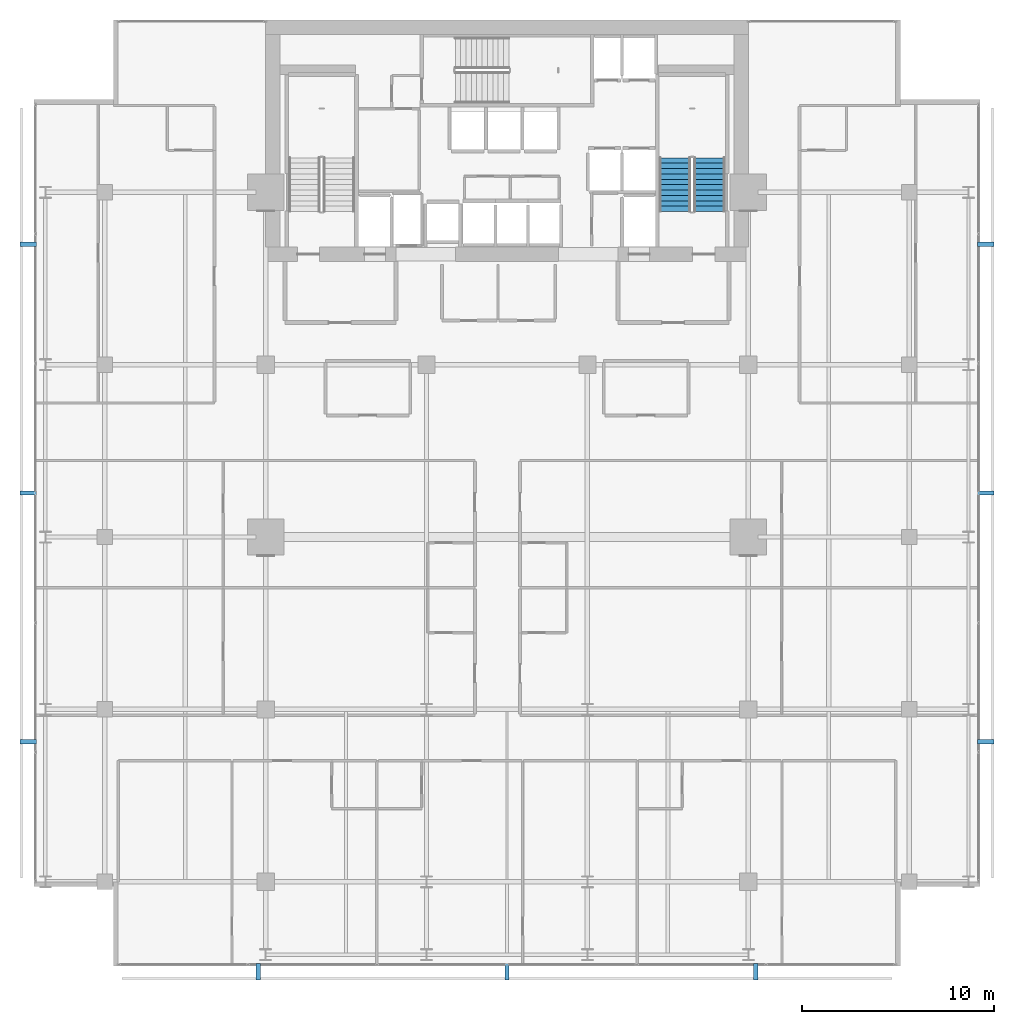
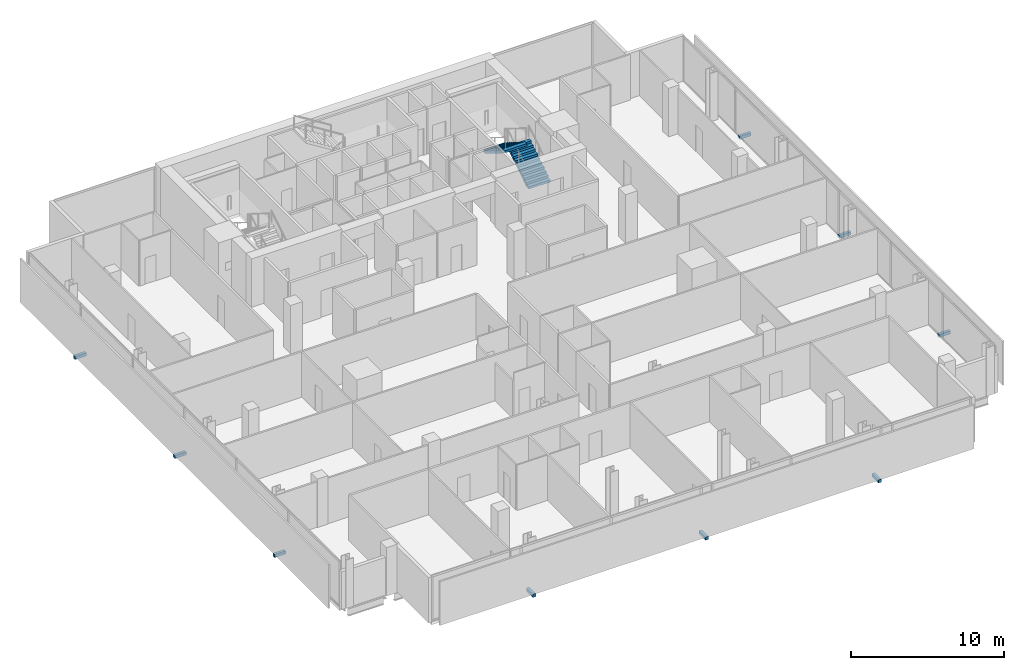
# One storey, part 31 of 33: 9 discrete accessories, 2 stair flights, 1 element without a shape of its own.
"""IFC4 building model written with IfcOpenShell, lengths in metres."""

from ifc_helpers import new_model, si_unit, direction, frame, origin, origin_2d, place, context, subcontext, project, spatial, polyline, rectangle, outline, extrude, material, type_object, element, aggregate, save


model = new_model("IFC4")

# Units and contexts
model_context = context("Model", 3, precision=1e-05, world=origin(), true_north=direction((0.0, 1.0)))
body_context = subcontext(model_context, "Body", "Model", "MODEL_VIEW")
ifc_project = project(units=[si_unit("LENGTHUNIT", "METRE"), si_unit("AREAUNIT", "SQUARE_METRE"), si_unit("VOLUMEUNIT", "CUBIC_METRE"), si_unit("PLANEANGLEUNIT", "RADIAN"), si_unit("MASSUNIT", "GRAM", prefix="KILO")], contexts=[model_context])

# Site, building, storey
site_placement = place(None, origin())
site = spatial("IfcSite", under=ifc_project, at=site_placement, CompositionType="ELEMENT")
building_placement = place(site_placement, origin())
building = spatial("IfcBuilding", under=site, at=building_placement, Name="Maruvema Waterfront Hotel and Observation Tower", CompositionType="ELEMENT")
storey_placement = place(building_placement, frame((0.0, 0.0, 169.75)))
storey = spatial("IfcBuildingStorey", under=building, at=storey_placement, Name="L41", CompositionType="ELEMENT", Elevation=169.75)

# Stair, stair flights
ifc_material_1 = material(Name="Concrete C50/60", Category="concrete")
stair_type = type_object("IfcStairType", Name="Dogleg Exit Stair 1650 mm (22R x 175.0 mm)", PredefinedType="HALF_TURN_STAIR", material=ifc_material_1)
stair_placement = place(storey_placement, origin())
stair = element("IfcStair", 1, at=stair_placement, inside=storey, type_object=stair_type, Name="L41 ST-03", PredefinedType="HALF_TURN_STAIR")
ifc_material_2 = material(Name="Concrete C50/60", Category="concrete")
stair_flight_type = type_object("IfcStairFlightType", Name="Reinforced Concrete Stair Flight 1650 mm (11R x 175.0 mm)", PredefinedType="STRAIGHT", material=ifc_material_2)
stair_flight_1_placement = place(storey_placement, frame((48.375, 44.0, 0.0), z_axis=(0.0, 0.0, 1.0), x_axis=(0.0, 1.0, 0.0)))
stair_flight_1 = element("IfcStairFlight", 2, at=stair_flight_1_placement, type_object=stair_flight_type, Name="ST-03 flight 1", NumberOfRisers=11, NumberOfTreads=10, PredefinedType="STRAIGHT", RiserHeight=0.175, TreadLength=0.28, context=body_context, shape_type="SweptSolid", body=[
    extrude(outline(polyline([(0.0, 0.0), (0.0, 0.175048828125), (0.280029296875, 0.175048828125), (0.280029296875, 0.35009765625), (0.56005859375, 0.35009765625), (0.56005859375, 0.52490234375), (0.840087890625, 0.52490234375), (0.840087890625, 0.699951171875), (1.1201171875, 0.699951171875), (1.1201171875, 0.875), (1.39990234375, 0.875), (1.39990234375, 1.050048828125), (1.679931640625, 1.050048828125), (1.679931640625, 1.22509765625), (1.9599609375, 1.22509765625), (1.9599609375, 1.39990234375), (2.239990234375, 1.39990234375), (2.239990234375, 1.574951171875), (2.52001953125, 1.574951171875), (2.52001953125, 1.75), (2.800048828125, 1.75), (2.800048828125, 1.925048828125), (2.800048828125, 1.5732421875), (0.28271484375, 0.0), (0.0, 0.0)])), frame((0.0, 0.824951171875, 0.0), z_axis=(0.0, -1.0, 0.0), x_axis=(1.0, 0.0, 0.0)), (0.0, 0.0, 1.0), 1.64990234375),
])
stair_flight_2_placement = place(storey_placement, frame((46.574951171875, 46.800048828125, 1.925048828125), z_axis=(0.0, 0.0, 1.0), x_axis=(0.0, -1.0, 0.0)))
stair_flight_2 = element("IfcStairFlight", 3, at=stair_flight_2_placement, type_object=stair_flight_type, Name="ST-03 flight 2", NumberOfRisers=11, NumberOfTreads=10, PredefinedType="STRAIGHT", RiserHeight=0.175, TreadLength=0.28, context=body_context, shape_type="SweptSolid", body=[
    extrude(outline(polyline([(0.0, 0.0), (0.0, 0.175048828125), (0.280029296875, 0.175048828125), (0.280029296875, 0.35009765625), (0.56005859375, 0.35009765625), (0.56005859375, 0.52490234375), (0.840087890625, 0.52490234375), (0.840087890625, 0.699951171875), (1.1201171875, 0.699951171875), (1.1201171875, 0.875), (1.39990234375, 0.875), (1.39990234375, 1.050048828125), (1.679931640625, 1.050048828125), (1.679931640625, 1.22509765625), (1.9599609375, 1.22509765625), (1.9599609375, 1.39990234375), (2.239990234375, 1.39990234375), (2.239990234375, 1.574951171875), (2.52001953125, 1.574951171875), (2.52001953125, 1.75), (2.800048828125, 1.75), (2.800048828125, 1.925048828125), (2.800048828125, 1.5732421875), (0.28271484375, 0.0), (0.0, 0.0)])), frame((0.0, 0.824951171875, 0.0), z_axis=(0.0, -1.0, 0.0), x_axis=(1.0, 0.0, 0.0)), (0.0, 0.0, 1.0), 1.64990234375),
])
aggregate(stair, [stair_flight_1, stair_flight_2])

# Discrete accessories
ifc_material_3 = material(Name="Duplex stainless steel Grade 2205", Category="steel")
discrete_accessory_type = type_object("IfcDiscreteAccessoryType", Name="Double-Skin Cavity Stainless Outrigger Bracket", PredefinedType="BRACKET", material=ifc_material_3)
for number, where, z_axis, x_axis, name in (
    (4, (24.80810546875, 4.300048828125, -0.14013671875), (0.0, 0.0, 1.0), (1.0, 0.0, 0.0), "L41 Outer Skin Support Bracket 1"),
    (5, (37.800048828125, 4.300048828125, -0.14013671875), (0.0, 0.0, 1.0), (1.0, 0.0, 0.0), "L41 Outer Skin Support Bracket 2"),
    (6, (50.7919921875, 4.300048828125, -0.14013671875), (0.0, 0.0, 1.0), (1.0, 0.0, 0.0), "L41 Outer Skin Support Bracket 3"),
    (7, (62.800048828125, 16.30810546875, -0.14013671875), (0.0, 0.0, 1.0), (0.0, 1.0, 0.0), "L41 Outer Skin Support Bracket 1"),
    (8, (62.800048828125, 29.300048828125, -0.14013671875), (0.0, 0.0, 1.0), (0.0, 1.0, 0.0), "L41 Outer Skin Support Bracket 2"),
    (9, (62.800048828125, 42.2919921875, -0.14013671875), (0.0, 0.0, 1.0), (0.0, 1.0, 0.0), "L41 Outer Skin Support Bracket 3"),
    (10, (12.800048828125, 42.2919921875, -0.14013671875), (0.0, 0.0, 1.0), (0.0, -1.0, 0.0), "L41 Outer Skin Support Bracket 1"),
    (11, (12.800048828125, 29.300048828125, -0.14013671875), (0.0, 0.0, 1.0), (0.0, -1.0, 0.0), "L41 Outer Skin Support Bracket 2"),
    (12, (12.800048828125, 16.30810546875, -0.14013671875), (0.0, 0.0, 1.0), (0.0, -1.0, 0.0), "L41 Outer Skin Support Bracket 3"),
):
    element("IfcDiscreteAccessory", number, at=place(storey_placement, frame(where, z_axis=z_axis, x_axis=x_axis)), inside=storey, type_object=discrete_accessory_type, Name=name, PredefinedType="BRACKET", context=body_context, shape_type="SweptSolid", body=[
        extrude(rectangle(XDim=0.219970703125, YDim=0.860107421875, at=origin_2d()), origin(), (0.0, 0.0, 1.0), 0.239990234375),
    ])

save(model, "model.ifc")
